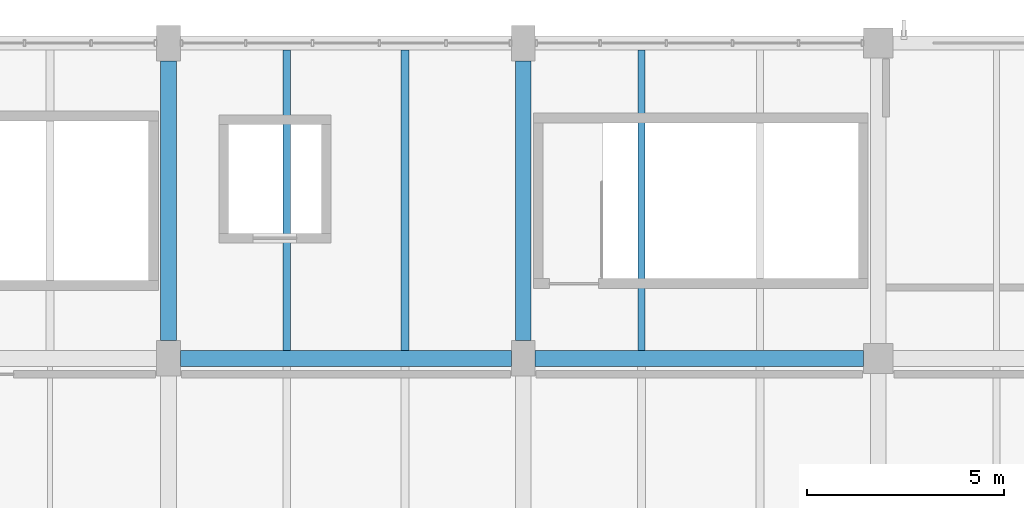
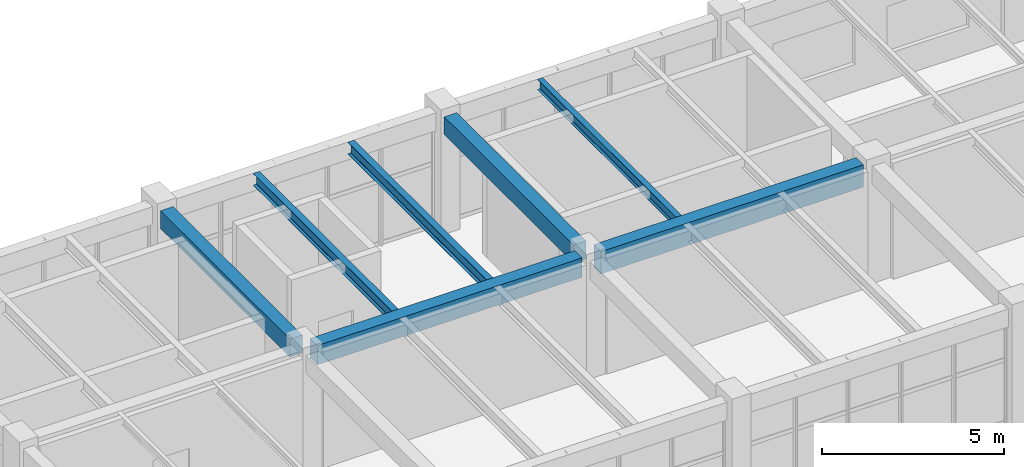
# One storey, part 66 of 148: 7 beams.
"""IFC4 building model written with IfcOpenShell, lengths in metres."""

from ifc_helpers import new_model, si_unit, derived_unit, direction, frame, origin, origin_2d, place, context, subcontext, project, spatial, rectangle, i_section, extrude, material, material_profile, profile_set, type_object, element, save


model = new_model("IFC4")

# Units and contexts
model_context = context("Model", 3, precision=1e-05, world=origin(), true_north=direction((0.0, 1.0)))
body_context = subcontext(model_context, "Body", "Model", "MODEL_VIEW")
ifc_project = project(units=[si_unit("LENGTHUNIT", "METRE"), si_unit("AREAUNIT", "SQUARE_METRE"), si_unit("VOLUMEUNIT", "CUBIC_METRE"), si_unit("PLANEANGLEUNIT", "RADIAN"), si_unit("MASSUNIT", "GRAM", prefix="KILO"), derived_unit("THERMALTRANSMITTANCEUNIT", [(si_unit("MASSUNIT", "GRAM", prefix="KILO"), 1), (si_unit("TIMEUNIT", "SECOND"), -3), (si_unit("THERMODYNAMICTEMPERATUREUNIT", "KELVIN"), -1)])], contexts=[model_context])

# Site, building, storey
site_placement = place(None, origin())
site = spatial("IfcSite", under=ifc_project, at=site_placement, CompositionType="ELEMENT")
building_placement = place(site_placement, origin())
building = spatial("IfcBuilding", under=site, at=building_placement, Name="Zhenchuan Archway Interchange", CompositionType="ELEMENT")
storey_placement = place(building_placement, frame((0.0, 0.0, 10.199951171875)))
storey = spatial("IfcBuildingStorey", under=building, at=storey_placement, Name="L02", CompositionType="ELEMENT", Elevation=10.199951171875)

# Beams
ifc_material_1 = material(Name="Concrete C40", Category="concrete")
ifc_material_profile_1 = material_profile(ifc_material_1, rectangle(XDim=0.39990234375, YDim=0.60009765625, at=origin_2d()), Name="RC 400x600")
ifc_profile_set_1 = profile_set([ifc_material_profile_1], Name="Concrete C40")
beam_type_1 = type_object("IfcBeamType", Name="BM_RC_400x600", PredefinedType="BEAM", material=ifc_profile_set_1)
for number, where, z_axis, x_axis, name in (
    (1, (18.0, 104.449951171875, 3.64013671875), (0.0, 1.0, 0.0), (-1.0, 0.0, 0.0), "Beam 3:O-P (L02)"),
    (2, (27.0, 104.449951171875, 3.64013671875), (0.0, 1.0, 0.0), (-1.0, 0.0, 0.0), "Beam 4:O-P (L02)"),
):
    element("IfcBeam", number, at=place(storey_placement, frame(where, z_axis=z_axis, x_axis=x_axis)), inside=storey, type_object=beam_type_1, Name=name, PredefinedType="BEAM", context=body_context, shape_type="SweptSolid", body=[
        extrude(rectangle(XDim=0.39990234375, YDim=0.60009765625, at=origin_2d()), origin(), (0.0, 0.0, 1.0), 7.10009765625),
    ])
ifc_material_profile_2 = material_profile(ifc_material_1, rectangle(XDim=0.39990234375, YDim=0.64990234375, at=origin_2d()), Name="RC 400x650")
ifc_profile_set_2 = profile_set([ifc_material_profile_2], Name="Concrete C40")
beam_type_2 = type_object("IfcBeamType", Name="BM_RC_400x650", PredefinedType="BEAM", material=ifc_profile_set_2)
beam_1_placement = place(storey_placement, frame((18.300048828125, 104.0, 3.614990234375), z_axis=(1.0, 0.0, 0.0), x_axis=(0.0, 1.0, 0.0)))
element("IfcBeam", 3, at=beam_1_placement, inside=storey, type_object=beam_type_2, Name="Beam O:3-4 (L02)", PredefinedType="BEAM", context=body_context, shape_type="SweptSolid", body=[
    extrude(rectangle(XDim=0.39990234375, YDim=0.64990234375, at=origin_2d()), origin(), (0.0, 0.0, 1.0), 8.39990234375),
])
ifc_material_profile_3 = material_profile(ifc_material_1, rectangle(XDim=0.39990234375, YDim=0.75, at=origin_2d()), Name="RC 400x750")
ifc_profile_set_3 = profile_set([ifc_material_profile_3], Name="Concrete C40")
beam_type_3 = type_object("IfcBeamType", Name="BM_RC_400x750", PredefinedType="BEAM", material=ifc_profile_set_3)
beam_2_placement = place(storey_placement, frame((27.300048828125, 104.0, 3.56494140625), z_axis=(1.0, 0.0, 0.0), x_axis=(0.0, 1.0, 0.0)))
element("IfcBeam", 4, at=beam_2_placement, inside=storey, type_object=beam_type_3, Name="Beam O:4-5 (L02)", PredefinedType="BEAM", context=body_context, shape_type="SweptSolid", body=[
    extrude(rectangle(XDim=0.39990234375, YDim=0.75, at=origin_2d()), origin(), (0.0, 0.0, 1.0), 8.324951171875),
])
ifc_material_2 = material(Name="Steel Q355", Category="steel")
ifc_material_profile_4 = material_profile(ifc_material_2, i_section(OverallWidth=0.175048828125, OverallDepth=0.35009765625, WebThickness=0.007080078125, FlangeThickness=0.010986328125, FilletRadius=0.013916015625, at=origin_2d()), Name="HN 350x175")
ifc_profile_set_4 = profile_set([ifc_material_profile_4], Name="Steel Q355")
beam_type_4 = type_object("IfcBeamType", Name="JST_STL_HN350", PredefinedType="JOIST", material=ifc_profile_set_4)
beam_3_placement = place(storey_placement, frame((30.0, 104.199951171875, 3.76513671875), z_axis=(0.0, 1.0, 0.0), x_axis=(-1.0, 0.0, 0.0)))
element("IfcBeam", 5, at=beam_3_placement, inside=storey, type_object=beam_type_4, Name="Secondary joist 4-5/O-P #1 (L02)", PredefinedType="JOIST", context=body_context, shape_type="SweptSolid", body=[
    extrude(i_section(OverallWidth=0.175048828125, OverallDepth=0.35009765625, WebThickness=0.007080078125, FlangeThickness=0.010986328125, FilletRadius=0.013916015625, at=origin_2d()), origin(), (0.0, 0.0, 1.0), 7.625),
])
ifc_material_profile_5 = material_profile(ifc_material_2, i_section(OverallWidth=0.199951171875, OverallDepth=0.39990234375, WebThickness=0.008056640625, FlangeThickness=0.012939453125, FilletRadius=0.01611328125, at=origin_2d()), Name="HN 400x200")
ifc_profile_set_5 = profile_set([ifc_material_profile_5], Name="Steel Q355")
beam_type_5 = type_object("IfcBeamType", Name="JST_STL_HN400", PredefinedType="JOIST", material=ifc_profile_set_5)
for number, where, z_axis, x_axis, name in (
    (6, (21.0, 104.199951171875, 3.739990234375), (0.0, 1.0, 0.0), (-1.0, 0.0, 0.0), "Secondary joist 3-4/O-P #1 (L02)"),
    (7, (24.0, 104.199951171875, 3.739990234375), (0.0, 1.0, 0.0), (-1.0, 0.0, 0.0), "Secondary joist 3-4/O-P #2 (L02)"),
):
    element("IfcBeam", number, at=place(storey_placement, frame(where, z_axis=z_axis, x_axis=x_axis)), inside=storey, type_object=beam_type_5, Name=name, PredefinedType="JOIST", context=body_context, shape_type="SweptSolid", body=[
        extrude(i_section(OverallWidth=0.199951171875, OverallDepth=0.39990234375, WebThickness=0.008056640625, FlangeThickness=0.012939453125, FilletRadius=0.01611328125, at=origin_2d()), origin(), (0.0, 0.0, 1.0), 7.625),
    ])

save(model, "model.ifc")
